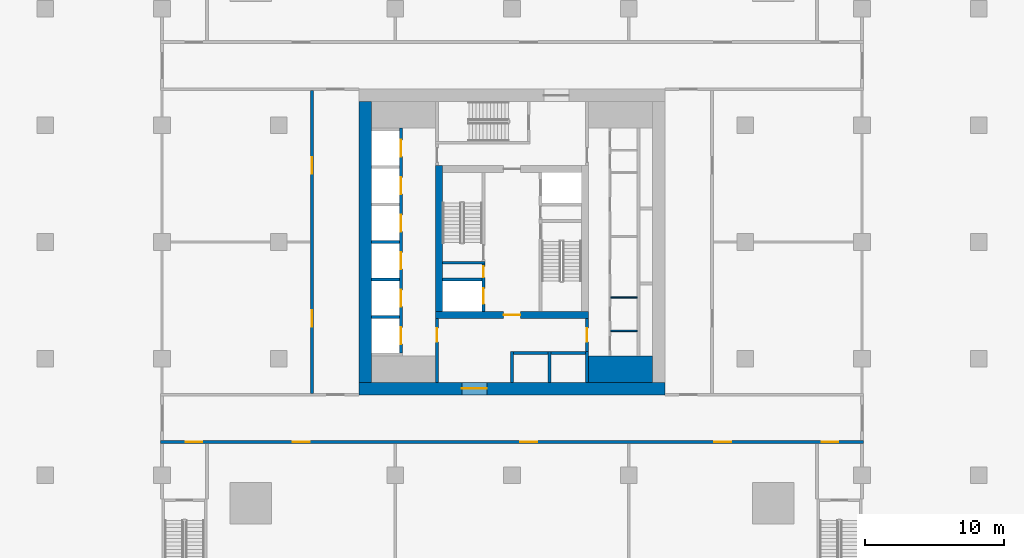
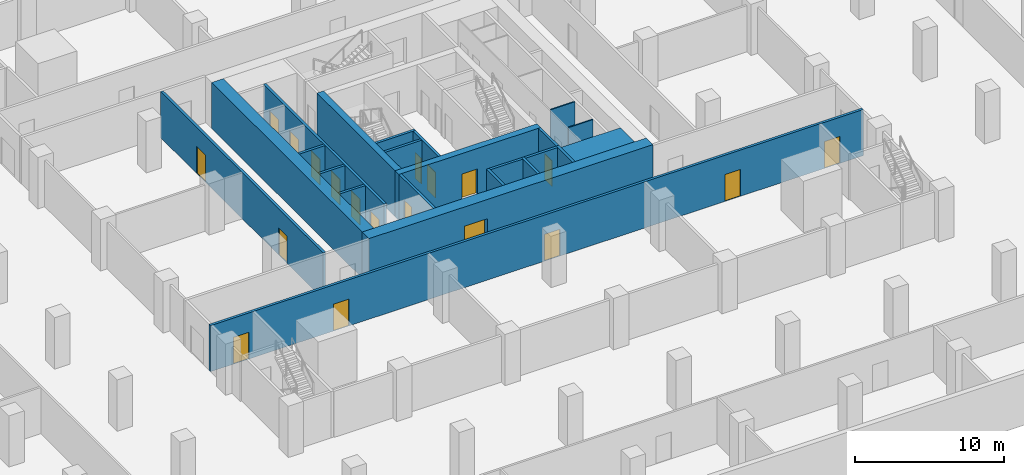
# One storey, part 5 of 16: 23 walls, 19 doors, 19 openings.
"""IFC4 building model written with IfcOpenShell, lengths in metres."""

import ifcopenshell
import ifcopenshell.guid

model = None  # the IFC model being written
_history = None  # IfcOwnerHistory: only IFC2X3 demands one
_inside = {}  # id of a spatial element -> (the spatial element, [elements in it])
_under = {}  # id of a project, library or spatial element -> (it, [spatial elements below it])
_declared = {}  # id of a project -> (the project, [libraries it declares])
_typed = {}  # id of a type object -> (the type object, [elements of that type])
_made_of = {}  # id of a material, layer set ... -> (it, [elements and type objects made of it])


def new_model(schema):
    """Start an empty IFC model of exactly this schema.

    Asked for "IFC4X3", IfcOpenShell would pick the latest addendum, in which some entities
    have other attributes; the version numbers below select the first issue.
    IFC2X3 requires an IfcOwnerHistory on every rooted entity: one is made here for all.
    """
    global model, _history
    if schema == "IFC4X3":
        model = ifcopenshell.file(schema_version=(4, 3, 0, 0))
    else:
        model = ifcopenshell.file(schema=schema)
    _inside.clear()
    _under.clear()
    _declared.clear()
    _typed.clear()
    _made_of.clear()
    _history = None
    if model.schema == "IFC2X3":
        org = make("IfcOrganization", Name="unknown")
        user = make(
            "IfcPersonAndOrganization",
            ThePerson=make("IfcPerson", FamilyName="unknown"),
            TheOrganization=org,
        )
        app = make(
            "IfcApplication",
            ApplicationDeveloper=org,
            Version="unknown",
            ApplicationFullName="unknown",
            ApplicationIdentifier="unknown",
        )
        _history = make(
            "IfcOwnerHistory",
            OwningUser=user,
            OwningApplication=app,
            ChangeAction="ADDED",
            CreationDate=0,
        )
    return model


def make(cls, **values):
    """One entity of the class cls with the attributes given. An attribute that is None is left unset."""
    return model.create_entity(
        cls, **{name: value for name, value in values.items() if value is not None}
    )


def rooted(cls, **values):
    """An entity with a GlobalId (a new one), such as an element, a storey or a relation."""
    return make(cls, GlobalId=ifcopenshell.guid.new(), OwnerHistory=_history, **values)


def si_unit(unit_type, name, prefix=None):
    """IfcSIUnit, for example si_unit("LENGTHUNIT", "METRE", prefix="MILLI")."""
    return make("IfcSIUnit", UnitType=unit_type, Prefix=prefix, Name=name)


def assignment(units):
    """IfcUnitAssignment: the units of a project."""
    return None if units is None else make("IfcUnitAssignment", Units=units)


def point(xyz):
    """IfcCartesianPoint."""
    return None if xyz is None else make("IfcCartesianPoint", Coordinates=xyz)


def direction(xyz):
    """IfcDirection."""
    return None if xyz is None else make("IfcDirection", DirectionRatios=xyz)


def frame(location, z_axis=None, x_axis=None):
    """IfcAxis2Placement3D, a coordinate frame: its origin and axes. An axis left out is left unset."""
    return make(
        "IfcAxis2Placement3D",
        Location=point(location),
        Axis=direction(z_axis),
        RefDirection=direction(x_axis),
    )


def frame_2d(location, x_axis=None):
    """IfcAxis2Placement2D, a coordinate frame in the plane: its origin and x axis."""
    return make(
        "IfcAxis2Placement2D", Location=point(location), RefDirection=direction(x_axis)
    )


def origin():
    """The frame at (0, 0, 0) with its axes left unset."""
    return frame((0.0, 0.0, 0.0))


def place(relative_to, where):
    """IfcLocalPlacement: puts the frame where relative to a parent placement (None: the world)."""
    return make(
        "IfcLocalPlacement", PlacementRelTo=relative_to, RelativePlacement=where
    )


def context(
    kind, dimensions, precision=None, world=None, true_north=None, identifier=None
):
    """IfcGeometricRepresentationContext, for example the 3D "Model" context."""
    return make(
        "IfcGeometricRepresentationContext",
        ContextIdentifier=identifier,
        ContextType=kind,
        CoordinateSpaceDimension=dimensions,
        Precision=precision,
        WorldCoordinateSystem=world,
        TrueNorth=true_north,
    )


def subcontext(parent, identifier, kind, view, scale=None):
    """IfcGeometricRepresentationSubContext, for example "Body" below "Model"."""
    return make(
        "IfcGeometricRepresentationSubContext",
        ContextIdentifier=identifier,
        ContextType=kind,
        ParentContext=parent,
        TargetScale=scale,
        TargetView=view,
    )


def project(units=None, contexts=None):
    """IfcProject with its units and contexts."""
    return rooted(
        "IfcProject",
        Name="project",
        RepresentationContexts=contexts,
        UnitsInContext=assignment(units),
    )


def spatial(cls, under=None, at=None, **own):
    """A site, building, storey or space (cls), placed at a placement, below another one or the project."""
    s = rooted(cls, ObjectPlacement=at, **own)
    if under is not None:
        _under.setdefault(under.id(), (under, []))[1].append(s)
    return s


def profile(cls, at=None, kind="AREA", **sizes):
    """A parametric profile (cls). Its sizes go by their IFC names, for example OverallWidth=200.0."""
    return make(cls, ProfileType=kind, Position=at, **sizes)


def rectangle(**sizes):
    """IfcRectangleProfileDef."""
    return profile("IfcRectangleProfileDef", **sizes)


def extrude(swept, where, along, depth):
    """IfcExtrudedAreaSolid: the profile swept, set in the frame where, extruded along a direction by depth."""
    return make(
        "IfcExtrudedAreaSolid",
        SweptArea=swept,
        Position=where,
        ExtrudedDirection=direction(along),
        Depth=depth,
    )


def shape(context_of_items, identifier, shape_type, items):
    """IfcShapeRepresentation: the items that make up one representation, for example the "Body"."""
    return make(
        "IfcShapeRepresentation",
        ContextOfItems=context_of_items,
        RepresentationIdentifier=identifier,
        RepresentationType=shape_type,
        Items=items,
    )


def material(Name=None, Category=None):
    """IfcMaterial."""
    return make("IfcMaterial", Name=Name, Category=Category)


def layer(
    of_material, thickness, ventilated=None, Name=None, Category=None, Priority=None
):
    """IfcMaterialLayer: one layer of a wall or slab, of a material (None: an air gap)."""
    return make(
        "IfcMaterialLayer",
        Material=of_material,
        LayerThickness=thickness,
        IsVentilated=ventilated,
        Name=Name,
        Category=Category,
        Priority=Priority,
    )


def layer_set(layers, Name=None):
    """IfcMaterialLayerSet."""
    return make("IfcMaterialLayerSet", MaterialLayers=layers, LayerSetName=Name)


def made_of(thing, what):
    """Note that an element or type object is made of a material, layer set ...; save() writes the relation."""
    if what is not None:
        _made_of.setdefault(what.id(), (what, []))[1].append(thing)
    return thing


def type_object(cls, material=None, **own):
    """A type object (cls), such as IfcWallType, which elements share."""
    return made_of(rooted(cls, **own), material)


def element(
    cls,
    number,
    at=None,
    inside=None,
    cuts=None,
    type_object=None,
    material=None,
    context=None,
    identifier="Body",
    shape_type=None,
    held_by="IfcProductDefinitionShape",
    body=None,
    shapes=None,
    **own,
):
    """One element of the class cls, such as IfcWall. Its Tag is "e" and its number.

    at: its placement. inside: the storey or other place that contains it. cuts: it is an
    opening in that element (IfcRelVoidsElement). A single representation is given by context,
    identifier, shape_type and body (its items); several are given by shapes. held_by: the class
    of the entity that holds the representations. save() writes the other relations.
    """
    e = rooted(cls, Tag="e%d" % number, ObjectPlacement=at, **own)
    if body is not None:
        shapes = [shape(context, identifier, shape_type, body)]
    if shapes is not None:
        e.Representation = make(held_by, Representations=shapes)
    if inside is not None:
        _inside.setdefault(inside.id(), (inside, []))[1].append(e)
    if cuts is not None:
        rooted(
            "IfcRelVoidsElement", RelatingBuildingElement=cuts, RelatedOpeningElement=e
        )
    if type_object is not None:
        _typed.setdefault(type_object.id(), (type_object, []))[1].append(e)
    return made_of(e, material)


def fill(opening, filler):
    """IfcRelFillsElement: the door or window that sits in an opening."""
    return rooted(
        "IfcRelFillsElement",
        RelatingOpeningElement=opening,
        RelatedBuildingElement=filler,
    )


def aggregate(whole, parts):
    """IfcRelAggregates: a whole, such as a stair, and the parts it consists of."""
    return rooted("IfcRelAggregates", RelatingObject=whole, RelatedObjects=parts)


def save(model, path):
    """Write the relations noted so far, then the file.

    IfcRelAggregates (storeys below a building ...), IfcRelContainedInSpatialStructure (elements
    in a storey), IfcRelDefinesByType, IfcRelAssociatesMaterial and IfcRelDeclares: one each for
    every whole, place, type object, material and project.
    """
    for whole, parts in _under.values():
        aggregate(whole, parts)
    for where, things in _inside.values():
        rooted(
            "IfcRelContainedInSpatialStructure",
            RelatedElements=things,
            RelatingStructure=where,
        )
    for kind, things in _typed.values():
        rooted("IfcRelDefinesByType", RelatedObjects=things, RelatingType=kind)
    for what, things in _made_of.values():
        rooted("IfcRelAssociatesMaterial", RelatedObjects=things, RelatingMaterial=what)
    for by, libraries in _declared.values():
        rooted("IfcRelDeclares", RelatingContext=by, RelatedDefinitions=libraries)
    model.write(path)


model = new_model("IFC4")

# Units and contexts
model_context = context("Model", 3, precision=1e-05, world=origin(), true_north=direction((0.0, 1.0)))
body_context = subcontext(model_context, "Body", "Model", "MODEL_VIEW")
ifc_project = project(units=[si_unit("LENGTHUNIT", "METRE"), si_unit("AREAUNIT", "SQUARE_METRE"), si_unit("VOLUMEUNIT", "CUBIC_METRE"), si_unit("PLANEANGLEUNIT", "RADIAN"), si_unit("MASSUNIT", "GRAM", prefix="KILO")], contexts=[model_context])

# Site, building, storey
site_placement = place(None, origin())
site = spatial("IfcSite", under=ifc_project, at=site_placement, CompositionType="ELEMENT")
building_placement = place(site_placement, origin())
building = spatial("IfcBuilding", under=site, at=building_placement, Name="Khepri Terraces", CompositionType="ELEMENT")
storey_placement = place(building_placement, frame((0.0, 0.0, -4.199951171875)))
storey = spatial("IfcBuildingStorey", under=building, at=storey_placement, Name="B1", CompositionType="ELEMENT", Elevation=-4.199951171875)

# Walls
ifc_material_1 = material(Name="Concrete C80/95", Category="concrete")
ifc_layer_1 = layer(ifc_material_1, 1.89990234375, Name="Concrete C80/95", Category="concrete")
ifc_layer_set_1 = layer_set([ifc_layer_1], Name="Concrete C80/95")
wall_type_1 = type_object("IfcWallType", Name="Core wall 1900 C80/95", PredefinedType="SHEAR", material=ifc_layer_set_1)
wall_1_placement = place(storey_placement, frame((5.5, -9.14990234375, 0.0), z_axis=(0.0, 0.0, 1.0), x_axis=(1.0, 0.0, 0.0)))
element("IfcWall", 1, at=wall_1_placement, inside=storey, type_object=wall_type_1, Name="Core wall PR02 B1", PredefinedType="SHEAR", context=body_context, shape_type="SweptSolid", body=[
    extrude(rectangle(XDim=4.60009765625, YDim=1.89990234375, at=frame_2d((2.300048828125, 0.0))), origin(), (0.0, 0.0, 1.0), 3.780029296875),
])
ifc_layer_2 = layer(ifc_material_1, 0.199951171875, Name="Concrete C80/95", Category="concrete")
ifc_layer_set_2 = layer_set([ifc_layer_2], Name="Concrete C80/95")
wall_type_2 = type_object("IfcWallType", Name="Core wall 200 C80/95", PredefinedType="SHEAR", material=ifc_layer_set_2)
wall_2_placement = place(storey_placement, frame((-5.0, -1.5, 0.0), z_axis=(0.0, 0.0, 1.0), x_axis=(1.0, 0.0, 0.0)))
element("IfcWall", 2, at=wall_2_placement, inside=storey, type_object=wall_type_2, Name="Core wall ST02 B1", PredefinedType="SHEAR", context=body_context, shape_type="SweptSolid", body=[
    extrude(rectangle(XDim=3.050048828125, YDim=0.199951171875, at=frame_2d((1.52490234375, 0.0))), origin(), (0.0, 0.0, 1.0), 3.780029296875),
])
for number, where, z_axis, x_axis, name in (
    (3, (0.0, -10.10009765625, 0.0), (0.0, 0.0, 1.0), (0.0, 1.0, 0.0), "Core wall SH01 B1"),
    (4, (2.699951171875, -10.10009765625, 0.0), (0.0, 0.0, 1.0), (0.0, 1.0, 0.0), "Core wall SH02 B1"),
    (5, (5.39990234375, -10.10009765625, 0.0), (0.0, 0.0, 1.0), (0.0, 1.0, 0.0), "Core wall SH03 B1"),
):
    element("IfcWall", number, at=place(storey_placement, frame(where, z_axis=z_axis, x_axis=x_axis)), inside=storey, type_object=wall_type_2, Name=name, PredefinedType="SHEAR", context=body_context, shape_type="SweptSolid", body=[
        extrude(rectangle(XDim=2.2001953125, YDim=0.199951171875, at=frame_2d((1.10009765625, 0.0))), origin(), (0.0, 0.0, 1.0), 3.780029296875),
    ])
for number, where, z_axis, x_axis, name in (
    (6, (0.10009765625, -8.0, 0.0), (0.0, 0.0, 1.0), (1.0, 0.0, 0.0), "Core wall SH06 B1"),
    (7, (2.800048828125, -8.0, 0.0), (0.0, 0.0, 1.0), (1.0, 0.0, 0.0), "Core wall SH07 B1"),
):
    element("IfcWall", number, at=place(storey_placement, frame(where, z_axis=z_axis, x_axis=x_axis)), inside=storey, type_object=wall_type_2, Name=name, PredefinedType="SHEAR", context=body_context, shape_type="SweptSolid", body=[
        extrude(rectangle(XDim=2.5, YDim=0.199951171875, at=frame_2d((1.25, 0.0))), origin(), (0.0, 0.0, 1.0), 3.780029296875),
    ])

# Wall, openings, doors
wall_3_placement = place(storey_placement, frame((-8.0, -8.0, 0.0), z_axis=(0.0, 0.0, 1.0), x_axis=(0.0, 1.0, 0.0)))
wall_3 = element("IfcWall", 8, at=wall_3_placement, inside=storey, type_object=wall_type_2, Name="Core wall SH08 B1", PredefinedType="SHEAR", context=body_context, shape_type="SweptSolid", body=[
    extrude(rectangle(XDim=16.199951171875, YDim=0.199951171875, at=frame_2d((8.10009765625, 0.0))), origin(), (0.0, 0.0, 1.0), 3.780029296875),
])
opening_1_placement = place(wall_3_placement, frame((0.64990234375, 0.0, 0.0)))
opening_1 = element("IfcOpeningElement", 9, at=opening_1_placement, cuts=wall_3, Name="Opening B1-C01", PredefinedType="OPENING", context=body_context, shape_type="SweptSolid", body=[
    extrude(rectangle(XDim=1.199951171875, YDim=2.10009765625, at=frame_2d((0.60009765625, 1.050048828125))), frame((0.0, 0.10986328125, 0.0), z_axis=(0.0, -1.0, 0.0), x_axis=(1.0, 0.0, 0.0)), (0.0, 0.0, 1.0), 0.219970703125),
])
opening_2_placement = place(wall_3_placement, frame((3.35009765625, 0.0, 0.0)))
opening_2 = element("IfcOpeningElement", 10, at=opening_2_placement, cuts=wall_3, Name="Opening B1-C02", PredefinedType="OPENING", context=body_context, shape_type="SweptSolid", body=[
    extrude(rectangle(XDim=1.199951171875, YDim=2.10009765625, at=frame_2d((0.60009765625, 1.050048828125))), frame((0.0, 0.10986328125, 0.0), z_axis=(0.0, -1.0, 0.0), x_axis=(1.0, 0.0, 0.0)), (0.0, 0.0, 1.0), 0.219970703125),
])
opening_3_placement = place(wall_3_placement, frame((6.050048828125, 0.0, 0.0)))
opening_3 = element("IfcOpeningElement", 11, at=opening_3_placement, cuts=wall_3, Name="Opening B1-C03", PredefinedType="OPENING", context=body_context, shape_type="SweptSolid", body=[
    extrude(rectangle(XDim=1.199951171875, YDim=2.10009765625, at=frame_2d((0.60009765625, 1.050048828125))), frame((0.0, 0.10986328125, 0.0), z_axis=(0.0, -1.0, 0.0), x_axis=(1.0, 0.0, 0.0)), (0.0, 0.0, 1.0), 0.219970703125),
])
opening_4_placement = place(wall_3_placement, frame((8.75, 0.0, 0.0)))
opening_4 = element("IfcOpeningElement", 12, at=opening_4_placement, cuts=wall_3, Name="Opening B1-C04", PredefinedType="OPENING", context=body_context, shape_type="SweptSolid", body=[
    extrude(rectangle(XDim=1.199951171875, YDim=2.10009765625, at=frame_2d((0.60009765625, 1.050048828125))), frame((0.0, 0.10986328125, 0.0), z_axis=(0.0, -1.0, 0.0), x_axis=(1.0, 0.0, 0.0)), (0.0, 0.0, 1.0), 0.219970703125),
])
opening_5_placement = place(wall_3_placement, frame((11.449951171875, 0.0, 0.0)))
opening_5 = element("IfcOpeningElement", 13, at=opening_5_placement, cuts=wall_3, Name="Opening B1-C05", PredefinedType="OPENING", context=body_context, shape_type="SweptSolid", body=[
    extrude(rectangle(XDim=1.199951171875, YDim=2.10009765625, at=frame_2d((0.60009765625, 1.050048828125))), frame((0.0, 0.10986328125, 0.0), z_axis=(0.0, -1.0, 0.0), x_axis=(1.0, 0.0, 0.0)), (0.0, 0.0, 1.0), 0.219970703125),
])
opening_6_placement = place(wall_3_placement, frame((14.14990234375, 0.0, 0.0)))
opening_6 = element("IfcOpeningElement", 14, at=opening_6_placement, cuts=wall_3, Name="Opening B1-C06", PredefinedType="OPENING", context=body_context, shape_type="SweptSolid", body=[
    extrude(rectangle(XDim=1.199951171875, YDim=2.10009765625, at=frame_2d((0.60009765625, 1.050048828125))), frame((0.0, 0.10986328125, 0.0), z_axis=(0.0, -1.0, 0.0), x_axis=(1.0, 0.0, 0.0)), (0.0, 0.0, 1.0), 0.219970703125),
])
ifc_material_2 = material(Name="Stainless steel 304", Category="steel")
door_type_1 = type_object("IfcDoorType", Name="DR-CORE-LANDING-1200", OperationType="NOTDEFINED", PredefinedType="DOOR", material=ifc_material_2)
door_1_placement = place(opening_1_placement, origin())
door_1 = element("IfcDoor", 15, at=door_1_placement, inside=storey, type_object=door_type_1, Name="Lift landing door B1-C01", OperationType="SLIDING_TO_LEFT", OverallHeight=2.10009765625, OverallWidth=1.199951171875, PredefinedType="DOOR", context=body_context, shape_type="SweptSolid", body=[
    extrude(rectangle(XDim=1.199951171875, YDim=2.10009765625, at=frame_2d((0.60009765625, 1.050048828125))), frame((0.0, 0.02490234375, 0.0), z_axis=(0.0, -1.0, 0.0), x_axis=(1.0, 0.0, 0.0)), (0.0, 0.0, 1.0), 0.050048828125),
])
fill(opening_1, door_1)
door_2_placement = place(opening_2_placement, origin())
door_2 = element("IfcDoor", 16, at=door_2_placement, inside=storey, type_object=door_type_1, Name="Lift landing door B1-C02", OperationType="SLIDING_TO_LEFT", OverallHeight=2.10009765625, OverallWidth=1.199951171875, PredefinedType="DOOR", context=body_context, shape_type="SweptSolid", body=[
    extrude(rectangle(XDim=1.199951171875, YDim=2.10009765625, at=frame_2d((0.60009765625, 1.050048828125))), frame((0.0, 0.02490234375, 0.0), z_axis=(0.0, -1.0, 0.0), x_axis=(1.0, 0.0, 0.0)), (0.0, 0.0, 1.0), 0.050048828125),
])
fill(opening_2, door_2)
door_3_placement = place(opening_3_placement, origin())
door_3 = element("IfcDoor", 17, at=door_3_placement, inside=storey, type_object=door_type_1, Name="Lift landing door B1-C03", OperationType="SLIDING_TO_LEFT", OverallHeight=2.10009765625, OverallWidth=1.199951171875, PredefinedType="DOOR", context=body_context, shape_type="SweptSolid", body=[
    extrude(rectangle(XDim=1.199951171875, YDim=2.10009765625, at=frame_2d((0.60009765625, 1.050048828125))), frame((0.0, 0.02490234375, 0.0), z_axis=(0.0, -1.0, 0.0), x_axis=(1.0, 0.0, 0.0)), (0.0, 0.0, 1.0), 0.050048828125),
])
fill(opening_3, door_3)
door_4_placement = place(opening_4_placement, origin())
door_4 = element("IfcDoor", 18, at=door_4_placement, inside=storey, type_object=door_type_1, Name="Lift landing door B1-C04", OperationType="SLIDING_TO_LEFT", OverallHeight=2.10009765625, OverallWidth=1.199951171875, PredefinedType="DOOR", context=body_context, shape_type="SweptSolid", body=[
    extrude(rectangle(XDim=1.199951171875, YDim=2.10009765625, at=frame_2d((0.60009765625, 1.050048828125))), frame((0.0, 0.02490234375, 0.0), z_axis=(0.0, -1.0, 0.0), x_axis=(1.0, 0.0, 0.0)), (0.0, 0.0, 1.0), 0.050048828125),
])
fill(opening_4, door_4)
door_5_placement = place(opening_5_placement, origin())
door_5 = element("IfcDoor", 19, at=door_5_placement, inside=storey, type_object=door_type_1, Name="Lift landing door B1-C05", OperationType="SLIDING_TO_LEFT", OverallHeight=2.10009765625, OverallWidth=1.199951171875, PredefinedType="DOOR", context=body_context, shape_type="SweptSolid", body=[
    extrude(rectangle(XDim=1.199951171875, YDim=2.10009765625, at=frame_2d((0.60009765625, 1.050048828125))), frame((0.0, 0.02490234375, 0.0), z_axis=(0.0, -1.0, 0.0), x_axis=(1.0, 0.0, 0.0)), (0.0, 0.0, 1.0), 0.050048828125),
])
fill(opening_5, door_5)
door_6_placement = place(opening_6_placement, origin())
door_6 = element("IfcDoor", 20, at=door_6_placement, inside=storey, type_object=door_type_1, Name="Lift landing door B1-C06", OperationType="SLIDING_TO_LEFT", OverallHeight=2.10009765625, OverallWidth=1.199951171875, PredefinedType="DOOR", context=body_context, shape_type="SweptSolid", body=[
    extrude(rectangle(XDim=1.199951171875, YDim=2.10009765625, at=frame_2d((0.60009765625, 1.050048828125))), frame((0.0, 0.02490234375, 0.0), z_axis=(0.0, -1.0, 0.0), x_axis=(1.0, 0.0, 0.0)), (0.0, 0.0, 1.0), 0.050048828125),
])
fill(opening_6, door_6)

# Wall
wall_4_placement = place(storey_placement, frame((-10.10009765625, -5.39990234375, 0.0), z_axis=(0.0, 0.0, 1.0), x_axis=(1.0, 0.0, 0.0)))
element("IfcWall", 21, at=wall_4_placement, inside=storey, type_object=wall_type_2, Name="Core wall SH09 B1", PredefinedType="SHEAR", context=body_context, shape_type="SweptSolid", body=[
    extrude(rectangle(XDim=2.0, YDim=0.199951171875, at=frame_2d((1.0, 0.0))), origin(), (0.0, 0.0, 1.0), 3.780029296875),
])

# Wall, openings, doors
wall_5_placement = place(storey_placement, frame((-2.050048828125, -5.0, 0.0), z_axis=(0.0, 0.0, 1.0), x_axis=(0.0, 1.0, 0.0)))
wall_5 = element("IfcWall", 22, at=wall_5_placement, inside=storey, type_object=wall_type_2, Name="Core wall SH10 B1", PredefinedType="SHEAR", context=body_context, shape_type="SweptSolid", body=[
    extrude(rectangle(XDim=3.39990234375, YDim=0.199951171875, at=frame_2d((1.699951171875, 0.0))), origin(), (0.0, 0.0, 1.0), 3.780029296875),
])
opening_7_placement = place(wall_5_placement, frame((0.550048828125, 0.0, 0.0)))
opening_7 = element("IfcOpeningElement", 23, at=opening_7_placement, cuts=wall_5, Name="Opening B1-C08", PredefinedType="OPENING", context=body_context, shape_type="SweptSolid", body=[
    extrude(rectangle(XDim=1.10009765625, YDim=2.10009765625, at=frame_2d((0.550048828125, 1.050048828125))), frame((0.0, 0.10986328125, 0.0), z_axis=(0.0, -1.0, 0.0), x_axis=(1.0, 0.0, 0.0)), (0.0, 0.0, 1.0), 0.219970703125),
])
opening_8_placement = place(wall_5_placement, frame((2.449951171875, 0.0, 0.0)))
opening_8 = element("IfcOpeningElement", 24, at=opening_8_placement, cuts=wall_5, Name="Opening B1-C12", PredefinedType="OPENING", context=body_context, shape_type="SweptSolid", body=[
    extrude(rectangle(XDim=0.800048828125, YDim=2.10009765625, at=frame_2d((0.39990234375, 1.050048828125))), frame((0.0, 0.10986328125, 0.0), z_axis=(0.0, -1.0, 0.0), x_axis=(1.0, 0.0, 0.0)), (0.0, 0.0, 1.0), 0.219970703125),
])
door_type_2 = type_object("IfcDoorType", Name="DR-CORE-FF-LANDING-1100", OperationType="NOTDEFINED", PredefinedType="DOOR", material=ifc_material_2)
door_7_placement = place(opening_7_placement, origin())
door_7 = element("IfcDoor", 25, at=door_7_placement, inside=storey, type_object=door_type_2, Name="Firefighting lift landing door B1-C08", OperationType="SLIDING_TO_LEFT", OverallHeight=2.10009765625, OverallWidth=1.10009765625, PredefinedType="DOOR", context=body_context, shape_type="SweptSolid", body=[
    extrude(rectangle(XDim=1.10009765625, YDim=2.10009765625, at=frame_2d((0.550048828125, 1.050048828125))), frame((0.0, 0.02490234375, 0.0), z_axis=(0.0, -1.0, 0.0), x_axis=(1.0, 0.0, 0.0)), (0.0, 0.0, 1.0), 0.050048828125),
])
fill(opening_7, door_7)
ifc_material_3 = material(Name="Painted steel", Category="steel")
door_type_3 = type_object("IfcDoorType", Name="DR-CORE-RISER-800", OperationType="NOTDEFINED", PredefinedType="DOOR", material=ifc_material_3)
door_8_placement = place(opening_8_placement, origin())
door_8 = element("IfcDoor", 26, at=door_8_placement, inside=storey, type_object=door_type_3, Name="Riser door B1-C12", OperationType="SINGLE_SWING_RIGHT", OverallHeight=2.10009765625, OverallWidth=0.800048828125, PredefinedType="DOOR", context=body_context, shape_type="SweptSolid", body=[
    extrude(rectangle(XDim=0.800048828125, YDim=2.10009765625, at=frame_2d((0.39990234375, 1.050048828125))), frame((0.0, 0.02490234375, 0.0), z_axis=(0.0, -1.0, 0.0), x_axis=(1.0, 0.0, 0.0)), (0.0, 0.0, 1.0), 0.050048828125),
])
fill(opening_8, door_8)

# Walls
wall_6_placement = place(storey_placement, frame((-10.10009765625, -2.699951171875, 0.0), z_axis=(0.0, 0.0, 1.0), x_axis=(1.0, 0.0, 0.0)))
element("IfcWall", 27, at=wall_6_placement, inside=storey, type_object=wall_type_2, Name="Core wall SH12 B1", PredefinedType="SHEAR", context=body_context, shape_type="SweptSolid", body=[
    extrude(rectangle(XDim=2.0, YDim=0.199951171875, at=frame_2d((1.0, 0.0))), origin(), (0.0, 0.0, 1.0), 3.780029296875),
])
wall_7_placement = place(storey_placement, frame((-5.0, -2.699951171875, 0.0), z_axis=(0.0, 0.0, 1.0), x_axis=(1.0, 0.0, 0.0)))
element("IfcWall", 28, at=wall_7_placement, inside=storey, type_object=wall_type_2, Name="Core wall SH13 B1", PredefinedType="SHEAR", context=body_context, shape_type="SweptSolid", body=[
    extrude(rectangle(XDim=2.85009765625, YDim=0.199951171875, at=frame_2d((1.425048828125, 0.0))), origin(), (0.0, 0.0, 1.0), 3.780029296875),
])
wall_8_placement = place(storey_placement, frame((-10.10009765625, 0.0, 0.0), z_axis=(0.0, 0.0, 1.0), x_axis=(1.0, 0.0, 0.0)))
element("IfcWall", 29, at=wall_8_placement, inside=storey, type_object=wall_type_2, Name="Core wall SH14 B1", PredefinedType="SHEAR", context=body_context, shape_type="SweptSolid", body=[
    extrude(rectangle(XDim=2.0, YDim=0.199951171875, at=frame_2d((1.0, 0.0))), origin(), (0.0, 0.0, 1.0), 3.780029296875),
])

# Wall, opening, door
ifc_layer_3 = layer(ifc_material_1, 0.5, Name="Concrete C80/95", Category="concrete")
ifc_layer_set_3 = layer_set([ifc_layer_3], Name="Concrete C80/95")
wall_type_3 = type_object("IfcWallType", Name="Core wall 500 C80/95", PredefinedType="SHEAR", material=ifc_layer_set_3)
wall_9_placement = place(storey_placement, frame((-5.5, -5.25, 0.0), z_axis=(0.0, 0.0, 1.0), x_axis=(1.0, 0.0, 0.0)))
wall_9 = element("IfcWall", 30, at=wall_9_placement, inside=storey, type_object=wall_type_3, Name="Core wall BX01 B1", PredefinedType="SHEAR", context=body_context, shape_type="SweptSolid", body=[
    extrude(rectangle(XDim=11.0, YDim=0.5, at=frame_2d((5.5, 0.0))), origin(), (0.0, 0.0, 1.0), 3.780029296875),
])
opening_9_placement = place(wall_9_placement, frame((4.89990234375, 0.0, 0.0)))
opening_9 = element("IfcOpeningElement", 31, at=opening_9_placement, cuts=wall_9, Name="Opening B1-C14", PredefinedType="OPENING", context=body_context, shape_type="SweptSolid", body=[
    extrude(rectangle(XDim=1.199951171875, YDim=2.10009765625, at=frame_2d((0.60009765625, 1.050048828125))), frame((0.0, 0.260009765625, 0.0), z_axis=(0.0, -1.0, 0.0), x_axis=(1.0, 0.0, 0.0)), (0.0, 0.0, 1.0), 0.52001953125),
])
door_type_4 = type_object("IfcDoorType", Name="DR-CORE-FF-LOBBY-1200", OperationType="NOTDEFINED", PredefinedType="DOOR", material=ifc_material_3)
door_9_placement = place(opening_9_placement, origin())
door_9 = element("IfcDoor", 32, at=door_9_placement, inside=storey, type_object=door_type_4, Name="Firefighting lobby door B1-C14", OperationType="SINGLE_SWING_RIGHT", OverallHeight=2.10009765625, OverallWidth=1.199951171875, PredefinedType="DOOR", context=body_context, shape_type="SweptSolid", body=[
    extrude(rectangle(XDim=1.199951171875, YDim=2.10009765625, at=frame_2d((0.60009765625, 1.050048828125))), frame((0.0, 0.02490234375, 0.0), z_axis=(0.0, -1.0, 0.0), x_axis=(1.0, 0.0, 0.0)), (0.0, 0.0, 1.0), 0.050048828125),
])
fill(opening_9, door_9)

# Wall
wall_10_placement = place(storey_placement, frame((-5.25, -5.0, 0.0), z_axis=(0.0, 0.0, 1.0), x_axis=(0.0, 1.0, 0.0)))
element("IfcWall", 33, at=wall_10_placement, inside=storey, type_object=wall_type_3, Name="Core wall BX02 B1", PredefinedType="SHEAR", context=body_context, shape_type="SweptSolid", body=[
    extrude(rectangle(XDim=10.5, YDim=0.5, at=frame_2d((5.25, 0.0))), origin(), (0.0, 0.0, 1.0), 3.780029296875),
])

# Wall, opening, door
ifc_layer_4 = layer(ifc_material_1, 0.89990234375, Name="Concrete C80/95", Category="concrete")
ifc_layer_set_4 = layer_set([ifc_layer_4], Name="Concrete C80/95")
wall_type_4 = type_object("IfcWallType", Name="Core wall 900 C80/95", PredefinedType="SHEAR", material=ifc_layer_set_4)
wall_11_placement = place(storey_placement, frame((-11.0, -10.550048828125, 0.0), z_axis=(0.0, 0.0, 1.0), x_axis=(1.0, 0.0, 0.0)))
wall_11 = element("IfcWall", 34, at=wall_11_placement, inside=storey, type_object=wall_type_4, Name="Core wall OW-S B1", PredefinedType="SHEAR", context=body_context, shape_type="SweptSolid", body=[
    extrude(rectangle(XDim=22.0, YDim=0.89990234375, at=frame_2d((11.0, 0.0))), origin(), (0.0, 0.0, 1.0), 3.780029296875),
])
opening_10_placement = place(wall_11_placement, frame((7.39990234375, 0.0, 0.0)))
opening_10 = element("IfcOpeningElement", 35, at=opening_10_placement, cuts=wall_11, Name="Opening B1-C21", PredefinedType="OPENING", context=body_context, shape_type="SweptSolid", body=[
    extrude(rectangle(XDim=1.800048828125, YDim=2.199951171875, at=frame_2d((0.89990234375, 1.10009765625))), frame((0.0, 0.4599609375, 0.0), z_axis=(0.0, -1.0, 0.0), x_axis=(1.0, 0.0, 0.0)), (0.0, 0.0, 1.0), 0.919921875),
])
door_type_5 = type_object("IfcDoorType", Name="DR-CORE-ENTRANCE-1800", OperationType="NOTDEFINED", PredefinedType="DOOR", material=ifc_material_3)
door_10_placement = place(opening_10_placement, frame((1.800048828125, 0.0, 0.0), z_axis=(0.0, 0.0, 1.0), x_axis=(-1.0, 0.0, 0.0)))
door_10 = element("IfcDoor", 36, at=door_10_placement, inside=storey, type_object=door_type_5, Name="Core entrance door pair B1-C21", OperationType="DOUBLE_DOOR_SINGLE_SWING", OverallHeight=2.199951171875, OverallWidth=1.800048828125, PredefinedType="DOOR", context=body_context, shape_type="SweptSolid", body=[
    extrude(rectangle(XDim=1.800048828125, YDim=2.199951171875, at=frame_2d((0.89990234375, 1.10009765625))), frame((0.0, 0.02490234375, 0.0), z_axis=(0.0, -1.0, 0.0), x_axis=(1.0, 0.0, 0.0)), (0.0, 0.0, 1.0), 0.050048828125),
])
fill(opening_10, door_10)

# Walls
wall_12_placement = place(storey_placement, frame((-10.550048828125, -10.10009765625, 0.0), z_axis=(0.0, 0.0, 1.0), x_axis=(0.0, 1.0, 0.0)))
element("IfcWall", 37, at=wall_12_placement, inside=storey, type_object=wall_type_4, Name="Core wall OW-W B1", PredefinedType="SHEAR", context=body_context, shape_type="SweptSolid", body=[
    extrude(rectangle(XDim=20.2001953125, YDim=0.89990234375, at=frame_2d((10.10009765625, 0.0))), origin(), (0.0, 0.0, 1.0), 3.780029296875),
])
ifc_material_4 = material(Name="Fire-rated gypsum board partition")
ifc_layer_5 = layer(ifc_material_4, 0.10009765625, Name="Fire-rated gypsum board partition")
ifc_layer_set_5 = layer_set([ifc_layer_5], Name="Fire-rated gypsum board partition")
wall_type_5 = type_object("IfcWallType", Name="WL-CORE-PART-100", PredefinedType="PARTITIONING", material=ifc_layer_set_5)
for number, where, z_axis, x_axis, name in (
    (38, (7.10009765625, -6.39990234375, 0.0), (0.0, 0.0, 1.0), (1.0, 0.0, 0.0), "Core partition PT04 B1"),
    (39, (7.10009765625, -4.0, 0.0), (0.0, 0.0, 1.0), (1.0, 0.0, 0.0), "Core partition PT05 B1"),
):
    element("IfcWall", number, at=place(storey_placement, frame(where, z_axis=z_axis, x_axis=x_axis)), inside=storey, type_object=wall_type_5, Name=name, PredefinedType="PARTITIONING", context=body_context, shape_type="SweptSolid", body=[
        extrude(rectangle(XDim=1.89990234375, YDim=0.10009765625, at=frame_2d((0.949951171875, 0.0))), origin(), (0.0, 0.0, 1.0), 3.780029296875),
    ])

# Wall, opening, door
ifc_layer_6 = layer(ifc_material_4, 0.199951171875, Name="Fire-rated gypsum board partition")
ifc_layer_set_6 = layer_set([ifc_layer_6], Name="Fire-rated gypsum board partition")
wall_type_6 = type_object("IfcWallType", Name="WL-CORE-PART-200", PredefinedType="PARTITIONING", material=ifc_layer_set_6)
wall_13_placement = place(storey_placement, frame((-5.39990234375, -10.10009765625, 0.0), z_axis=(0.0, 0.0, 1.0), x_axis=(0.0, 1.0, 0.0)))
wall_13 = element("IfcWall", 40, at=wall_13_placement, inside=storey, type_object=wall_type_6, Name="Core partition PT01 B1", PredefinedType="PARTITIONING", context=body_context, shape_type="SweptSolid", body=[
    extrude(rectangle(XDim=4.60009765625, YDim=0.199951171875, at=frame_2d((2.300048828125, 0.0))), origin(), (0.0, 0.0, 1.0), 3.780029296875),
])
opening_11_placement = place(wall_13_placement, frame((2.89990234375, 0.0, 0.0)))
opening_11 = element("IfcOpeningElement", 41, at=opening_11_placement, cuts=wall_13, Name="Opening B1-C18", PredefinedType="OPENING", context=body_context, shape_type="SweptSolid", body=[
    extrude(rectangle(XDim=1.0, YDim=2.10009765625, at=frame_2d((0.5, 1.050048828125))), frame((0.0, 0.10986328125, 0.0), z_axis=(0.0, -1.0, 0.0), x_axis=(1.0, 0.0, 0.0)), (0.0, 0.0, 1.0), 0.219970703125),
])
door_type_6 = type_object("IfcDoorType", Name="DR-CORE-LOBBY-1000", OperationType="NOTDEFINED", PredefinedType="DOOR", material=ifc_material_3)
door_11_placement = place(opening_11_placement, frame((1.0, 0.0, 0.0), z_axis=(0.0, 0.0, 1.0), x_axis=(-1.0, 0.0, 0.0)))
door_11 = element("IfcDoor", 42, at=door_11_placement, inside=storey, type_object=door_type_6, Name="Lobby door B1-C18", OperationType="SINGLE_SWING_LEFT", OverallHeight=2.10009765625, OverallWidth=1.0, PredefinedType="DOOR", context=body_context, shape_type="SweptSolid", body=[
    extrude(rectangle(XDim=1.0, YDim=2.10009765625, at=frame_2d((0.5, 1.050048828125))), frame((0.0, 0.02490234375, 0.0), z_axis=(0.0, -1.0, 0.0), x_axis=(1.0, 0.0, 0.0)), (0.0, 0.0, 1.0), 0.050048828125),
])
fill(opening_11, door_11)

wall_14_placement = place(storey_placement, frame((5.39990234375, -7.89990234375, 0.0), z_axis=(0.0, 0.0, 1.0), x_axis=(0.0, 1.0, 0.0)))
wall_14 = element("IfcWall", 43, at=wall_14_placement, inside=storey, type_object=wall_type_6, Name="Core partition PT03 B1", PredefinedType="PARTITIONING", context=body_context, shape_type="SweptSolid", body=[
    extrude(rectangle(XDim=2.39990234375, YDim=0.199951171875, at=frame_2d((1.199951171875, 0.0))), origin(), (0.0, 0.0, 1.0), 3.780029296875),
])
opening_12_placement = place(wall_14_placement, frame((0.699951171875, 0.0, 0.0)))
opening_12 = element("IfcOpeningElement", 44, at=opening_12_placement, cuts=wall_14, Name="Opening B1-C19", PredefinedType="OPENING", context=body_context, shape_type="SweptSolid", body=[
    extrude(rectangle(XDim=1.0, YDim=2.10009765625, at=frame_2d((0.5, 1.050048828125))), frame((0.0, 0.10986328125, 0.0), z_axis=(0.0, -1.0, 0.0), x_axis=(1.0, 0.0, 0.0)), (0.0, 0.0, 1.0), 0.219970703125),
])
door_12_placement = place(opening_12_placement, origin())
door_12 = element("IfcDoor", 45, at=door_12_placement, inside=storey, type_object=door_type_6, Name="Lobby door B1-C19", OperationType="SINGLE_SWING_RIGHT", OverallHeight=2.10009765625, OverallWidth=1.0, PredefinedType="DOOR", context=body_context, shape_type="SweptSolid", body=[
    extrude(rectangle(XDim=1.0, YDim=2.10009765625, at=frame_2d((0.5, 1.050048828125))), frame((0.0, 0.02490234375, 0.0), z_axis=(0.0, -1.0, 0.0), x_axis=(1.0, 0.0, 0.0)), (0.0, 0.0, 1.0), 0.050048828125),
])
fill(opening_12, door_12)

# Wall, openings, doors
ifc_material_5 = material(Name="Fire-rated block wall")
ifc_layer_7 = layer(ifc_material_5, 0.199951171875, Name="Fire-rated block wall")
ifc_layer_set_7 = layer_set([ifc_layer_7], Name="Fire-rated block wall")
wall_type_7 = type_object("IfcWallType", Name="WL-POD-200-EI120", PredefinedType="PARTITIONING", material=ifc_layer_set_7)
wall_15_placement = place(storey_placement, frame((-25.300048828125, -14.39990234375, 0.0), z_axis=(0.0, 0.0, 1.0), x_axis=(1.0, 0.0, 0.0)))
wall_15 = element("IfcWall", 46, at=wall_15_placement, inside=storey, type_object=wall_type_7, Name="Partition B1-PW011", PredefinedType="PARTITIONING", context=body_context, shape_type="SweptSolid", body=[
    extrude(rectangle(XDim=50.60009765625, YDim=0.199951171875, at=frame_2d((25.300048828125, 0.0))), origin(), (0.0, 0.0, 1.0), 3.780029296875),
])
opening_13_placement = place(wall_15_placement, frame((1.800048828125, 0.0, 0.0)))
opening_13 = element("IfcOpeningElement", 47, at=opening_13_placement, cuts=wall_15, Name="Opening B1-P07", PredefinedType="OPENING", context=body_context, shape_type="SweptSolid", body=[
    extrude(rectangle(XDim=1.199951171875, YDim=2.199951171875, at=frame_2d((0.60009765625, 1.10009765625))), frame((0.0, 0.10986328125, 0.0), z_axis=(0.0, -1.0, 0.0), x_axis=(1.0, 0.0, 0.0)), (0.0, 0.0, 1.0), 0.219970703125),
])
opening_14_placement = place(wall_15_placement, frame((9.52490234375, 0.0, 0.0)))
opening_14 = element("IfcOpeningElement", 48, at=opening_14_placement, cuts=wall_15, Name="Opening B1-P08", PredefinedType="OPENING", context=body_context, shape_type="SweptSolid", body=[
    extrude(rectangle(XDim=1.199951171875, YDim=2.199951171875, at=frame_2d((0.60009765625, 1.10009765625))), frame((0.0, 0.10986328125, 0.0), z_axis=(0.0, -1.0, 0.0), x_axis=(1.0, 0.0, 0.0)), (0.0, 0.0, 1.0), 0.219970703125),
])
opening_15_placement = place(wall_15_placement, frame((25.89990234375, 0.0, 0.0)))
opening_15 = element("IfcOpeningElement", 49, at=opening_15_placement, cuts=wall_15, Name="Opening B1-P09", PredefinedType="OPENING", context=body_context, shape_type="SweptSolid", body=[
    extrude(rectangle(XDim=1.199951171875, YDim=2.199951171875, at=frame_2d((0.60009765625, 1.10009765625))), frame((0.0, 0.10986328125, 0.0), z_axis=(0.0, -1.0, 0.0), x_axis=(1.0, 0.0, 0.0)), (0.0, 0.0, 1.0), 0.219970703125),
])
opening_16_placement = place(wall_15_placement, frame((39.875, 0.0, 0.0)))
opening_16 = element("IfcOpeningElement", 50, at=opening_16_placement, cuts=wall_15, Name="Opening B1-P10", PredefinedType="OPENING", context=body_context, shape_type="SweptSolid", body=[
    extrude(rectangle(XDim=1.199951171875, YDim=2.199951171875, at=frame_2d((0.60009765625, 1.10009765625))), frame((0.0, 0.10986328125, 0.0), z_axis=(0.0, -1.0, 0.0), x_axis=(1.0, 0.0, 0.0)), (0.0, 0.0, 1.0), 0.219970703125),
])
opening_17_placement = place(wall_15_placement, frame((47.60009765625, 0.0, 0.0)))
opening_17 = element("IfcOpeningElement", 51, at=opening_17_placement, cuts=wall_15, Name="Opening B1-P11", PredefinedType="OPENING", context=body_context, shape_type="SweptSolid", body=[
    extrude(rectangle(XDim=1.199951171875, YDim=2.199951171875, at=frame_2d((0.60009765625, 1.10009765625))), frame((0.0, 0.10986328125, 0.0), z_axis=(0.0, -1.0, 0.0), x_axis=(1.0, 0.0, 0.0)), (0.0, 0.0, 1.0), 0.219970703125),
])
door_type_7 = type_object("IfcDoorType", Name="DR-POD-FIRE-1200", OperationType="NOTDEFINED", PredefinedType="DOOR", material=ifc_material_3)
door_13_placement = place(opening_13_placement, origin())
door_13 = element("IfcDoor", 52, at=door_13_placement, inside=storey, type_object=door_type_7, Name="Fire door B1-P07", OperationType="SINGLE_SWING_LEFT", OverallHeight=2.199951171875, OverallWidth=1.199951171875, PredefinedType="DOOR", context=body_context, shape_type="SweptSolid", body=[
    extrude(rectangle(XDim=1.199951171875, YDim=2.199951171875, at=frame_2d((0.60009765625, 1.10009765625))), frame((0.0, 0.02490234375, 0.0), z_axis=(0.0, -1.0, 0.0), x_axis=(1.0, 0.0, 0.0)), (0.0, 0.0, 1.0), 0.050048828125),
])
fill(opening_13, door_13)
door_14_placement = place(opening_17_placement, origin())
door_14 = element("IfcDoor", 53, at=door_14_placement, inside=storey, type_object=door_type_7, Name="Fire door B1-P11", OperationType="SINGLE_SWING_RIGHT", OverallHeight=2.199951171875, OverallWidth=1.199951171875, PredefinedType="DOOR", context=body_context, shape_type="SweptSolid", body=[
    extrude(rectangle(XDim=1.199951171875, YDim=2.199951171875, at=frame_2d((0.60009765625, 1.10009765625))), frame((0.0, 0.02490234375, 0.0), z_axis=(0.0, -1.0, 0.0), x_axis=(1.0, 0.0, 0.0)), (0.0, 0.0, 1.0), 0.050048828125),
])
fill(opening_17, door_14)
door_type_8 = type_object("IfcDoorType", Name="DR-POD-PLANT-1200", OperationType="NOTDEFINED", PredefinedType="DOOR", material=ifc_material_3)
door_15_placement = place(opening_14_placement, origin())
door_15 = element("IfcDoor", 54, at=door_15_placement, inside=storey, type_object=door_type_8, Name="Plant room door B1-P08", OperationType="SINGLE_SWING_RIGHT", OverallHeight=2.199951171875, OverallWidth=1.199951171875, PredefinedType="DOOR", context=body_context, shape_type="SweptSolid", body=[
    extrude(rectangle(XDim=1.199951171875, YDim=2.199951171875, at=frame_2d((0.60009765625, 1.10009765625))), frame((0.0, 0.02490234375, 0.0), z_axis=(0.0, -1.0, 0.0), x_axis=(1.0, 0.0, 0.0)), (0.0, 0.0, 1.0), 0.050048828125),
])
fill(opening_14, door_15)
door_16_placement = place(opening_15_placement, origin())
door_16 = element("IfcDoor", 55, at=door_16_placement, inside=storey, type_object=door_type_8, Name="Plant room door B1-P09", OperationType="SINGLE_SWING_LEFT", OverallHeight=2.199951171875, OverallWidth=1.199951171875, PredefinedType="DOOR", context=body_context, shape_type="SweptSolid", body=[
    extrude(rectangle(XDim=1.199951171875, YDim=2.199951171875, at=frame_2d((0.60009765625, 1.10009765625))), frame((0.0, 0.02490234375, 0.0), z_axis=(0.0, -1.0, 0.0), x_axis=(1.0, 0.0, 0.0)), (0.0, 0.0, 1.0), 0.050048828125),
])
fill(opening_15, door_16)
door_17_placement = place(opening_16_placement, origin())
door_17 = element("IfcDoor", 56, at=door_17_placement, inside=storey, type_object=door_type_8, Name="Plant room door B1-P10", OperationType="SINGLE_SWING_LEFT", OverallHeight=2.199951171875, OverallWidth=1.199951171875, PredefinedType="DOOR", context=body_context, shape_type="SweptSolid", body=[
    extrude(rectangle(XDim=1.199951171875, YDim=2.199951171875, at=frame_2d((0.60009765625, 1.10009765625))), frame((0.0, 0.02490234375, 0.0), z_axis=(0.0, -1.0, 0.0), x_axis=(1.0, 0.0, 0.0)), (0.0, 0.0, 1.0), 0.050048828125),
])
fill(opening_16, door_17)

ifc_layer_8 = layer(ifc_material_5, 0.199951171875, Name="Fire-rated block wall")
ifc_layer_set_8 = layer_set([ifc_layer_8], Name="Fire-rated block wall")
wall_type_8 = type_object("IfcWallType", Name="WL-POD-200-EI60", PredefinedType="PARTITIONING", material=ifc_layer_set_8)
wall_16_placement = place(storey_placement, frame((-14.39990234375, -10.89990234375, 0.0), z_axis=(0.0, 0.0, 1.0), x_axis=(0.0, 1.0, 0.0)))
wall_16 = element("IfcWall", 57, at=wall_16_placement, inside=storey, type_object=wall_type_8, Name="Partition B1-PW078", PredefinedType="PARTITIONING", context=body_context, shape_type="SweptSolid", body=[
    extrude(rectangle(XDim=21.7998046875, YDim=0.199951171875, at=frame_2d((10.89990234375, 0.0))), origin(), (0.0, 0.0, 1.0), 3.780029296875),
])
opening_18_placement = place(wall_16_placement, frame((4.800048828125, 0.0, 0.0)))
opening_18 = element("IfcOpeningElement", 58, at=opening_18_placement, cuts=wall_16, Name="Opening B1-P16", PredefinedType="OPENING", context=body_context, shape_type="SweptSolid", body=[
    extrude(rectangle(XDim=1.199951171875, YDim=2.199951171875, at=frame_2d((0.60009765625, 1.10009765625))), frame((0.0, 0.10986328125, 0.0), z_axis=(0.0, -1.0, 0.0), x_axis=(1.0, 0.0, 0.0)), (0.0, 0.0, 1.0), 0.219970703125),
])
opening_19_placement = place(wall_16_placement, frame((15.800048828125, 0.0, 0.0)))
opening_19 = element("IfcOpeningElement", 59, at=opening_19_placement, cuts=wall_16, Name="Opening B1-P20", PredefinedType="OPENING", context=body_context, shape_type="SweptSolid", body=[
    extrude(rectangle(XDim=1.199951171875, YDim=2.199951171875, at=frame_2d((0.60009765625, 1.10009765625))), frame((0.0, 0.10986328125, 0.0), z_axis=(0.0, -1.0, 0.0), x_axis=(1.0, 0.0, 0.0)), (0.0, 0.0, 1.0), 0.219970703125),
])
ifc_material_6 = material(Name="Timber veneer", Category="wood")
door_type_9 = type_object("IfcDoorType", Name="DR-POD-SINGLE-1200", OperationType="NOTDEFINED", PredefinedType="DOOR", material=ifc_material_6)
door_18_placement = place(opening_18_placement, origin())
door_18 = element("IfcDoor", 60, at=door_18_placement, inside=storey, type_object=door_type_9, Name="Door B1-P16", OperationType="SINGLE_SWING_LEFT", OverallHeight=2.199951171875, OverallWidth=1.199951171875, PredefinedType="DOOR", context=body_context, shape_type="SweptSolid", body=[
    extrude(rectangle(XDim=1.199951171875, YDim=2.199951171875, at=frame_2d((0.60009765625, 1.10009765625))), frame((0.0, 0.02490234375, 0.0), z_axis=(0.0, -1.0, 0.0), x_axis=(1.0, 0.0, 0.0)), (0.0, 0.0, 1.0), 0.050048828125),
])
fill(opening_18, door_18)
door_19_placement = place(opening_19_placement, origin())
door_19 = element("IfcDoor", 61, at=door_19_placement, inside=storey, type_object=door_type_9, Name="Door B1-P20", OperationType="SINGLE_SWING_RIGHT", OverallHeight=2.199951171875, OverallWidth=1.199951171875, PredefinedType="DOOR", context=body_context, shape_type="SweptSolid", body=[
    extrude(rectangle(XDim=1.199951171875, YDim=2.199951171875, at=frame_2d((0.60009765625, 1.10009765625))), frame((0.0, 0.02490234375, 0.0), z_axis=(0.0, -1.0, 0.0), x_axis=(1.0, 0.0, 0.0)), (0.0, 0.0, 1.0), 0.050048828125),
])
fill(opening_19, door_19)

save(model, "model.ifc")
